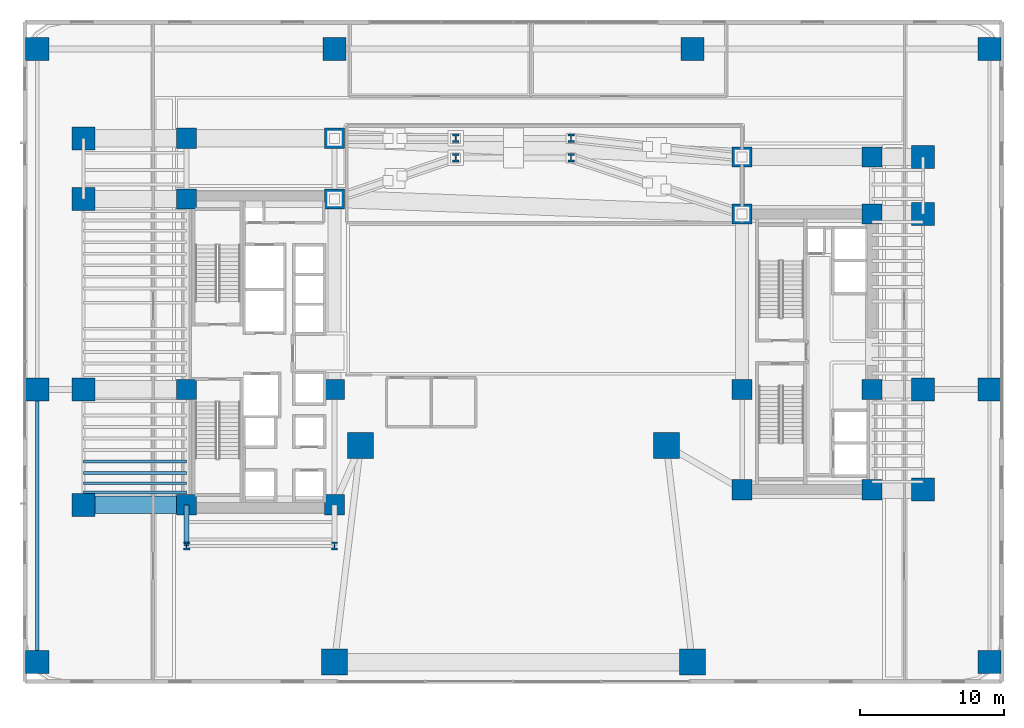
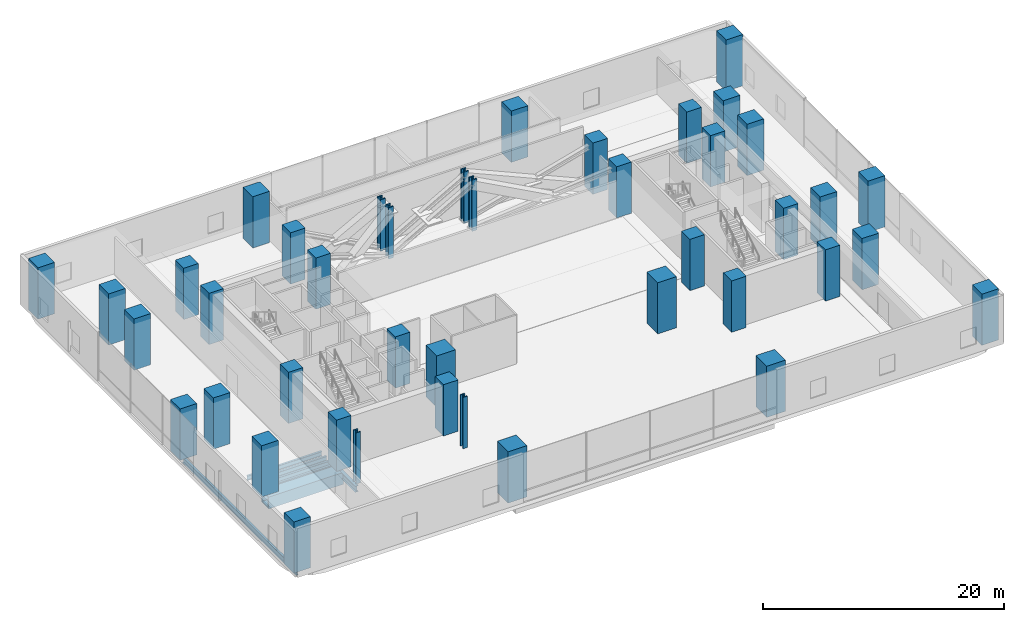
# One storey, part 1 of 41: 42 columns, 7 beams.
"""IFC4 building model written with IfcOpenShell, lengths in metres."""

import ifcopenshell
import ifcopenshell.guid

model = None  # the IFC model being written
_history = None  # IfcOwnerHistory: only IFC2X3 demands one
_inside = {}  # id of a spatial element -> (the spatial element, [elements in it])
_under = {}  # id of a project, library or spatial element -> (it, [spatial elements below it])
_declared = {}  # id of a project -> (the project, [libraries it declares])
_typed = {}  # id of a type object -> (the type object, [elements of that type])
_made_of = {}  # id of a material, layer set ... -> (it, [elements and type objects made of it])


def new_model(schema):
    """Start an empty IFC model of exactly this schema.

    Asked for "IFC4X3", IfcOpenShell would pick the latest addendum, in which some entities
    have other attributes; the version numbers below select the first issue.
    IFC2X3 requires an IfcOwnerHistory on every rooted entity: one is made here for all.
    """
    global model, _history
    if schema == "IFC4X3":
        model = ifcopenshell.file(schema_version=(4, 3, 0, 0))
    else:
        model = ifcopenshell.file(schema=schema)
    _inside.clear()
    _under.clear()
    _declared.clear()
    _typed.clear()
    _made_of.clear()
    _history = None
    if model.schema == "IFC2X3":
        org = make("IfcOrganization", Name="unknown")
        user = make(
            "IfcPersonAndOrganization",
            ThePerson=make("IfcPerson", FamilyName="unknown"),
            TheOrganization=org,
        )
        app = make(
            "IfcApplication",
            ApplicationDeveloper=org,
            Version="unknown",
            ApplicationFullName="unknown",
            ApplicationIdentifier="unknown",
        )
        _history = make(
            "IfcOwnerHistory",
            OwningUser=user,
            OwningApplication=app,
            ChangeAction="ADDED",
            CreationDate=0,
        )
    return model


def make(cls, **values):
    """One entity of the class cls with the attributes given. An attribute that is None is left unset."""
    return model.create_entity(
        cls, **{name: value for name, value in values.items() if value is not None}
    )


def rooted(cls, **values):
    """An entity with a GlobalId (a new one), such as an element, a storey or a relation."""
    return make(cls, GlobalId=ifcopenshell.guid.new(), OwnerHistory=_history, **values)


def si_unit(unit_type, name, prefix=None):
    """IfcSIUnit, for example si_unit("LENGTHUNIT", "METRE", prefix="MILLI")."""
    return make("IfcSIUnit", UnitType=unit_type, Prefix=prefix, Name=name)


def assignment(units):
    """IfcUnitAssignment: the units of a project."""
    return None if units is None else make("IfcUnitAssignment", Units=units)


def point(xyz):
    """IfcCartesianPoint."""
    return None if xyz is None else make("IfcCartesianPoint", Coordinates=xyz)


def direction(xyz):
    """IfcDirection."""
    return None if xyz is None else make("IfcDirection", DirectionRatios=xyz)


def frame(location, z_axis=None, x_axis=None):
    """IfcAxis2Placement3D, a coordinate frame: its origin and axes. An axis left out is left unset."""
    return make(
        "IfcAxis2Placement3D",
        Location=point(location),
        Axis=direction(z_axis),
        RefDirection=direction(x_axis),
    )


def frame_2d(location, x_axis=None):
    """IfcAxis2Placement2D, a coordinate frame in the plane: its origin and x axis."""
    return make(
        "IfcAxis2Placement2D", Location=point(location), RefDirection=direction(x_axis)
    )


def origin():
    """The frame at (0, 0, 0) with its axes left unset."""
    return frame((0.0, 0.0, 0.0))


def origin_2d():
    """The frame at (0, 0) in the plane with its x axis left unset."""
    return frame_2d((0.0, 0.0))


def place(relative_to, where):
    """IfcLocalPlacement: puts the frame where relative to a parent placement (None: the world)."""
    return make(
        "IfcLocalPlacement", PlacementRelTo=relative_to, RelativePlacement=where
    )


def context(
    kind, dimensions, precision=None, world=None, true_north=None, identifier=None
):
    """IfcGeometricRepresentationContext, for example the 3D "Model" context."""
    return make(
        "IfcGeometricRepresentationContext",
        ContextIdentifier=identifier,
        ContextType=kind,
        CoordinateSpaceDimension=dimensions,
        Precision=precision,
        WorldCoordinateSystem=world,
        TrueNorth=true_north,
    )


def subcontext(parent, identifier, kind, view, scale=None):
    """IfcGeometricRepresentationSubContext, for example "Body" below "Model"."""
    return make(
        "IfcGeometricRepresentationSubContext",
        ContextIdentifier=identifier,
        ContextType=kind,
        ParentContext=parent,
        TargetScale=scale,
        TargetView=view,
    )


def project(units=None, contexts=None):
    """IfcProject with its units and contexts."""
    return rooted(
        "IfcProject",
        Name="project",
        RepresentationContexts=contexts,
        UnitsInContext=assignment(units),
    )


def spatial(cls, under=None, at=None, **own):
    """A site, building, storey or space (cls), placed at a placement, below another one or the project."""
    s = rooted(cls, ObjectPlacement=at, **own)
    if under is not None:
        _under.setdefault(under.id(), (under, []))[1].append(s)
    return s


def profile(cls, at=None, kind="AREA", **sizes):
    """A parametric profile (cls). Its sizes go by their IFC names, for example OverallWidth=200.0."""
    return make(cls, ProfileType=kind, Position=at, **sizes)


def rectangle(**sizes):
    """IfcRectangleProfileDef."""
    return profile("IfcRectangleProfileDef", **sizes)


def hollow_rectangle(**sizes):
    """IfcRectangleHollowProfileDef."""
    return profile("IfcRectangleHollowProfileDef", **sizes)


def i_section(**sizes):
    """IfcIShapeProfileDef."""
    return profile("IfcIShapeProfileDef", **sizes)


def extrude(swept, where, along, depth):
    """IfcExtrudedAreaSolid: the profile swept, set in the frame where, extruded along a direction by depth."""
    return make(
        "IfcExtrudedAreaSolid",
        SweptArea=swept,
        Position=where,
        ExtrudedDirection=direction(along),
        Depth=depth,
    )


def shape(context_of_items, identifier, shape_type, items):
    """IfcShapeRepresentation: the items that make up one representation, for example the "Body"."""
    return make(
        "IfcShapeRepresentation",
        ContextOfItems=context_of_items,
        RepresentationIdentifier=identifier,
        RepresentationType=shape_type,
        Items=items,
    )


def source(mapping_origin, context_of_items, identifier, shape_type, items):
    """IfcRepresentationMap: a shape defined once, which mapped items show again and again."""
    return make(
        "IfcRepresentationMap",
        MappingOrigin=mapping_origin,
        MappedRepresentation=shape(context_of_items, identifier, shape_type, items),
    )


def transform(
    local_origin,
    x_axis=None,
    y_axis=None,
    z_axis=None,
    scale=None,
    scale2=None,
    scale3=None,
    uniform=True,
):
    """IfcCartesianTransformationOperator3D, or its non-uniform kind. x_axis, y_axis, z_axis: its Axis1, 2, 3."""
    if uniform:
        return make(
            "IfcCartesianTransformationOperator3D",
            Axis1=direction(x_axis),
            Axis2=direction(y_axis),
            LocalOrigin=point(local_origin),
            Scale=scale,
            Axis3=direction(z_axis),
        )
    return make(
        "IfcCartesianTransformationOperator3DnonUniform",
        Axis1=direction(x_axis),
        Axis2=direction(y_axis),
        LocalOrigin=point(local_origin),
        Scale=scale,
        Axis3=direction(z_axis),
        Scale2=scale2,
        Scale3=scale3,
    )


def mapped(mapping_source, mapping_target):
    """IfcMappedItem: shows the shape of a source again, moved by a transform."""
    return make(
        "IfcMappedItem", MappingSource=mapping_source, MappingTarget=mapping_target
    )


def material(Name=None, Category=None):
    """IfcMaterial."""
    return make("IfcMaterial", Name=Name, Category=Category)


def material_profile(
    of_material, cross_section, Name=None, Category=None, Priority=None
):
    """IfcMaterialProfile: a cross section and its material."""
    return make(
        "IfcMaterialProfile",
        Name=Name,
        Material=of_material,
        Profile=cross_section,
        Priority=Priority,
        Category=Category,
    )


def profile_set(profiles, Name=None, composite=None):
    """IfcMaterialProfileSet."""
    return make(
        "IfcMaterialProfileSet",
        Name=Name,
        MaterialProfiles=profiles,
        CompositeProfile=composite,
    )


def made_of(thing, what):
    """Note that an element or type object is made of a material, layer set ...; save() writes the relation."""
    if what is not None:
        _made_of.setdefault(what.id(), (what, []))[1].append(thing)
    return thing


def type_object(cls, material=None, **own):
    """A type object (cls), such as IfcWallType, which elements share."""
    return made_of(rooted(cls, **own), material)


def element(
    cls,
    number,
    at=None,
    inside=None,
    cuts=None,
    type_object=None,
    material=None,
    context=None,
    identifier="Body",
    shape_type=None,
    held_by="IfcProductDefinitionShape",
    body=None,
    shapes=None,
    **own,
):
    """One element of the class cls, such as IfcWall. Its Tag is "e" and its number.

    at: its placement. inside: the storey or other place that contains it. cuts: it is an
    opening in that element (IfcRelVoidsElement). A single representation is given by context,
    identifier, shape_type and body (its items); several are given by shapes. held_by: the class
    of the entity that holds the representations. save() writes the other relations.
    """
    e = rooted(cls, Tag="e%d" % number, ObjectPlacement=at, **own)
    if body is not None:
        shapes = [shape(context, identifier, shape_type, body)]
    if shapes is not None:
        e.Representation = make(held_by, Representations=shapes)
    if inside is not None:
        _inside.setdefault(inside.id(), (inside, []))[1].append(e)
    if cuts is not None:
        rooted(
            "IfcRelVoidsElement", RelatingBuildingElement=cuts, RelatedOpeningElement=e
        )
    if type_object is not None:
        _typed.setdefault(type_object.id(), (type_object, []))[1].append(e)
    return made_of(e, material)


def aggregate(whole, parts):
    """IfcRelAggregates: a whole, such as a stair, and the parts it consists of."""
    return rooted("IfcRelAggregates", RelatingObject=whole, RelatedObjects=parts)


def save(model, path):
    """Write the relations noted so far, then the file.

    IfcRelAggregates (storeys below a building ...), IfcRelContainedInSpatialStructure (elements
    in a storey), IfcRelDefinesByType, IfcRelAssociatesMaterial and IfcRelDeclares: one each for
    every whole, place, type object, material and project.
    """
    for whole, parts in _under.values():
        aggregate(whole, parts)
    for where, things in _inside.values():
        rooted(
            "IfcRelContainedInSpatialStructure",
            RelatedElements=things,
            RelatingStructure=where,
        )
    for kind, things in _typed.values():
        rooted("IfcRelDefinesByType", RelatedObjects=things, RelatingType=kind)
    for what, things in _made_of.values():
        rooted("IfcRelAssociatesMaterial", RelatedObjects=things, RelatingMaterial=what)
    for by, libraries in _declared.values():
        rooted("IfcRelDeclares", RelatingContext=by, RelatedDefinitions=libraries)
    model.write(path)


model = new_model("IFC4")

# Units and contexts
model_context = context("Model", 3, precision=1e-05, world=origin(), true_north=direction((0.0, 1.0)))
body_context = subcontext(model_context, "Body", "Model", "MODEL_VIEW")
ifc_project = project(units=[si_unit("LENGTHUNIT", "METRE"), si_unit("AREAUNIT", "SQUARE_METRE"), si_unit("VOLUMEUNIT", "CUBIC_METRE"), si_unit("PLANEANGLEUNIT", "RADIAN"), si_unit("MASSUNIT", "GRAM", prefix="KILO")], contexts=[model_context])

# Site, building, storey
site_placement = place(None, origin())
site = spatial("IfcSite", under=ifc_project, at=site_placement, CompositionType="ELEMENT")
building_placement = place(site_placement, origin())
building = spatial("IfcBuilding", under=site, at=building_placement, Name="Valdorenza Pilgrim Sanctuary Tower", CompositionType="ELEMENT")
storey_placement = place(building_placement, frame((0.0, 0.0, 20.800048828125)))
storey = spatial("IfcBuildingStorey", under=building, at=storey_placement, Name="L04", CompositionType="ELEMENT", Elevation=20.800048828125)

# Columns
ifc_material_1 = material(Name="Concrete C60/75", Category="concrete")
ifc_material_profile_1 = material_profile(ifc_material_1, rectangle(XDim=1.60009765625, YDim=1.60009765625, at=origin_2d()), Name="RC 1600x1600")
ifc_profile_set_1 = profile_set([ifc_material_profile_1], Name="Concrete C60/75")
column_type_1 = type_object("IfcColumnType", Name="COL-POD-1600", PredefinedType="COLUMN", material=ifc_profile_set_1)
shared_shape_1 = source(origin(), body_context, "Body", "SweptSolid", [
    extrude(rectangle(XDim=1.60009765625, YDim=1.60009765625, at=origin_2d()), origin(), (0.0, 0.0, 1.0), 5.199951171875),
])
for number, where, z_axis, x_axis, name in (
    (1, (-29.800048828125, -10.60009765625, 0.0), (0.0, 0.0, 1.0), (1.0, 0.0, 0.0), "L04 Perimeter Column WA-W-S1"),
    (2, (-29.800048828125, -2.60009765625, 0.0), (0.0, 0.0, 1.0), (1.0, 0.0, 0.0), "L04 Perimeter Column WA-W-M0"),
    (3, (-29.800048828125, 10.60009765625, 0.0), (0.0, 0.0, 1.0), (1.0, 0.0, 0.0), "L04 Perimeter Column WA-W-N1"),
    (4, (-29.800048828125, 14.800048828125, 0.0), (0.0, 0.0, 1.0), (1.0, 0.0, 0.0), "L04 Perimeter Column WA-W-N2"),
    (5, (28.39990234375, -9.550048828125, 0.0), (0.0, 0.0, 1.0), (1.0, 0.0, 0.0), "L04 Perimeter Column WB-E-S1"),
    (6, (28.39990234375, -2.60009765625, 0.0), (0.0, 0.0, 1.0), (1.0, 0.0, 0.0), "L04 Perimeter Column WB-E-M0"),
    (7, (28.39990234375, 9.550048828125, 0.0), (0.0, 0.0, 1.0), (1.0, 0.0, 0.0), "L04 Perimeter Column WB-E-N1"),
    (8, (28.39990234375, 13.5, 0.0), (0.0, 0.0, 1.0), (1.0, 0.0, 0.0), "L04 Perimeter Column WB-E-N2"),
    (9, (-33.0, -21.5, 0.0), (0.0, 0.0, 1.0), (1.0, 0.0, 0.0), "L04 Perimeter Column POD-SW"),
    (10, (-33.0, -2.60009765625, 0.0), (0.0, 0.0, 1.0), (1.0, 0.0, 0.0), "L04 Perimeter Column POD-MW"),
    (11, (-33.0, 21.0, 0.0), (0.0, 0.0, 1.0), (1.0, 0.0, 0.0), "L04 Perimeter Column POD-NW"),
    (12, (-12.39990234375, 21.0, 0.0), (0.0, 0.0, 1.0), (1.0, 0.0, 0.0), "L04 Perimeter Column POD-NCW"),
    (13, (12.39990234375, 21.0, 0.0), (0.0, 0.0, 1.0), (1.0, 0.0, 0.0), "L04 Perimeter Column POD-NCE"),
    (14, (33.0, 21.0, 0.0), (0.0, 0.0, 1.0), (1.0, 0.0, 0.0), "L04 Perimeter Column POD-NE"),
    (15, (33.0, -2.60009765625, 0.0), (0.0, 0.0, 1.0), (1.0, 0.0, 0.0), "L04 Perimeter Column POD-ME"),
    (16, (33.0, -21.5, 0.0), (0.0, 0.0, 1.0), (1.0, 0.0, 0.0), "L04 Perimeter Column POD-SE"),
):
    element("IfcColumn", number, at=place(storey_placement, frame(where, z_axis=z_axis, x_axis=x_axis)), inside=storey, type_object=column_type_1, Name=name, PredefinedType="COLUMN", context=body_context, shape_type="MappedRepresentation", body=[
        mapped(shared_shape_1, transform((0.0, 0.0, 0.0), x_axis=(1.0, 0.0, 0.0), y_axis=(0.0, 1.0, 0.0), z_axis=(0.0, 0.0, 1.0), scale=1.0)),
    ])
ifc_material_profile_2 = material_profile(ifc_material_1, rectangle(XDim=1.39990234375, YDim=1.39990234375, at=origin_2d()), Name="RC 1400x1400")
ifc_profile_set_2 = profile_set([ifc_material_profile_2], Name="Concrete C60/75")
column_type_2 = type_object("IfcColumnType", Name="COL-Z1-1400", PredefinedType="COLUMN", material=ifc_profile_set_2)
shared_shape_2 = source(origin(), body_context, "Body", "SweptSolid", [
    extrude(rectangle(XDim=1.39990234375, YDim=1.39990234375, at=origin_2d()), origin(), (0.0, 0.0, 1.0), 5.199951171875),
])
for number, where, z_axis, x_axis, name in (
    (17, (-22.64990234375, -10.60009765625, 0.0), (0.0, 0.0, 1.0), (1.0, 0.0, 0.0), "L04 Column CA-W-S1"),
    (18, (-12.39990234375, -10.60009765625, 0.0), (0.0, 0.0, 1.0), (1.0, 0.0, 0.0), "L04 Column CA-E-S1"),
    (19, (-22.64990234375, -2.60009765625, 0.0), (0.0, 0.0, 1.0), (1.0, 0.0, 0.0), "L04 Column CA-W-M0"),
    (20, (-12.39990234375, -2.60009765625, 0.0), (0.0, 0.0, 1.0), (1.0, 0.0, 0.0), "L04 Column CA-E-M0"),
    (21, (-22.64990234375, 10.60009765625, 0.0), (0.0, 0.0, 1.0), (1.0, 0.0, 0.0), "L04 Column CA-W-N1"),
    (22, (-12.39990234375, 10.60009765625, 0.0), (0.0, 0.0, 1.0), (1.0, 0.0, 0.0), "L04 Column CA-E-N1"),
    (23, (-22.64990234375, 14.800048828125, 0.0), (0.0, 0.0, 1.0), (1.0, 0.0, 0.0), "L04 Column CA-W-N2"),
    (24, (-12.39990234375, 14.800048828125, 0.0), (0.0, 0.0, 1.0), (1.0, 0.0, 0.0), "L04 Column CA-E-N2"),
    (25, (15.85009765625, -9.550048828125, 0.0), (0.0, 0.0, 1.0), (1.0, 0.0, 0.0), "L04 Column CB-W-S1"),
    (26, (24.85009765625, -9.550048828125, 0.0), (0.0, 0.0, 1.0), (1.0, 0.0, 0.0), "L04 Column CB-E-S1"),
    (27, (15.85009765625, -2.60009765625, 0.0), (0.0, 0.0, 1.0), (1.0, 0.0, 0.0), "L04 Column CB-W-M0"),
    (28, (24.85009765625, -2.60009765625, 0.0), (0.0, 0.0, 1.0), (1.0, 0.0, 0.0), "L04 Column CB-E-M0"),
    (29, (15.85009765625, 9.550048828125, 0.0), (0.0, 0.0, 1.0), (1.0, 0.0, 0.0), "L04 Column CB-W-N1"),
    (30, (24.85009765625, 9.550048828125, 0.0), (0.0, 0.0, 1.0), (1.0, 0.0, 0.0), "L04 Column CB-E-N1"),
    (31, (15.85009765625, 13.5, 0.0), (0.0, 0.0, 1.0), (1.0, 0.0, 0.0), "L04 Column CB-W-N2"),
    (32, (24.85009765625, 13.5, 0.0), (0.0, 0.0, 1.0), (1.0, 0.0, 0.0), "L04 Column CB-E-N2"),
):
    element("IfcColumn", number, at=place(storey_placement, frame(where, z_axis=z_axis, x_axis=x_axis)), inside=storey, type_object=column_type_2, Name=name, PredefinedType="COLUMN", context=body_context, shape_type="MappedRepresentation", body=[
        mapped(shared_shape_2, transform((0.0, 0.0, 0.0), x_axis=(1.0, 0.0, 0.0), y_axis=(0.0, 1.0, 0.0), z_axis=(0.0, 0.0, 1.0), scale=1.0)),
    ])
ifc_material_2 = material(Name="Steel ASTM A992 Grade 50", Category="steel")
ifc_material_profile_3 = material_profile(ifc_material_2, i_section(OverallWidth=0.44189453125, OverallDepth=0.531005859375, WebThickness=0.06591796875, FlangeThickness=0.105712890625, at=origin_2d()), Name="W14X605")
ifc_profile_set_3 = profile_set([ifc_material_profile_3], Name="Steel ASTM A992 Grade 50")
column_type_3 = type_object("IfcColumnType", Name="COL-STL-W605", PredefinedType="COLUMN", material=ifc_profile_set_3)
shared_shape_3 = source(origin(), body_context, "Body", "SweptSolid", [
    extrude(i_section(OverallWidth=0.44189453125, OverallDepth=0.531005859375, WebThickness=0.06591796875, FlangeThickness=0.105712890625, at=origin_2d()), origin(), (0.0, 0.0, 1.0), 5.199951171875),
])
for number, where, z_axis, x_axis, name in (
    (33, (-22.64990234375, -13.449951171875, 0.0), (0.0, 0.0, 1.0), (1.0, 0.0, 0.0), "L04 Column WA-S-W"),
    (34, (-12.39990234375, -13.449951171875, 0.0), (0.0, 0.0, 1.0), (1.0, 0.0, 0.0), "L04 Column WA-S-E"),
):
    element("IfcColumn", number, at=place(storey_placement, frame(where, z_axis=z_axis, x_axis=x_axis)), inside=storey, type_object=column_type_3, Name=name, PredefinedType="COLUMN", context=body_context, shape_type="MappedRepresentation", body=[
        mapped(shared_shape_3, transform((0.0, 0.0, 0.0), x_axis=(1.0, 0.0, 0.0), y_axis=(0.0, 1.0, 0.0), z_axis=(0.0, 0.0, 1.0), scale=1.0)),
    ])
ifc_material_profile_4 = material_profile(ifc_material_1, rectangle(XDim=1.800048828125, YDim=1.800048828125, at=origin_2d()), Name="RC 1800x1800")
ifc_profile_set_4 = profile_set([ifc_material_profile_4], Name="Concrete C60/75")
column_type_4 = type_object("IfcColumnType", Name="COL-ARCH-1800", PredefinedType="COLUMN", material=ifc_profile_set_4)
shared_shape_4 = source(origin(), body_context, "Body", "SweptSolid", [
    extrude(rectangle(XDim=1.800048828125, YDim=1.800048828125, at=origin_2d()), origin(), (0.0, 0.0, 1.0), 5.199951171875),
])
for number, where, z_axis, x_axis, name in (
    (35, (-12.39990234375, -21.5, 0.0), (0.0, 0.0, 1.0), (1.0, 0.0, 0.0), "L04 Perimeter Column ARCH-PIER-SW"),
    (36, (-10.60009765625, -6.5, 0.0), (0.0, 0.0, 1.0), (1.0, 0.0, 0.0), "L04 Perimeter Column ARCH-PIER-NW"),
    (37, (12.39990234375, -21.5, 0.0), (0.0, 0.0, 1.0), (1.0, 0.0, 0.0), "L04 Perimeter Column ARCH-PIER-SE"),
    (38, (10.60009765625, -6.5, 0.0), (0.0, 0.0, 1.0), (1.0, 0.0, 0.0), "L04 Perimeter Column ARCH-PIER-NE"),
):
    element("IfcColumn", number, at=place(storey_placement, frame(where, z_axis=z_axis, x_axis=x_axis)), inside=storey, type_object=column_type_4, Name=name, PredefinedType="COLUMN", context=body_context, shape_type="MappedRepresentation", body=[
        mapped(shared_shape_4, transform((0.0, 0.0, 0.0), x_axis=(1.0, 0.0, 0.0), y_axis=(0.0, 1.0, 0.0), z_axis=(0.0, 0.0, 1.0), scale=1.0)),
    ])
ifc_material_profile_5 = material_profile(ifc_material_2, i_section(OverallWidth=0.4541015625, OverallDepth=0.569091796875, WebThickness=0.077880859375, FlangeThickness=0.124755859375, at=origin_2d()), Name="W14X730")
ifc_profile_set_5 = profile_set([ifc_material_profile_5], Name="Steel ASTM A992 Grade 50")
column_type_5 = type_object("IfcColumnType", Name="COL-STL-W730", PredefinedType="COLUMN", material=ifc_profile_set_5)
shared_shape_5 = source(origin(), body_context, "Body", "SweptSolid", [
    extrude(i_section(OverallWidth=0.4541015625, OverallDepth=0.569091796875, WebThickness=0.077880859375, FlangeThickness=0.124755859375, at=origin_2d()), origin(), (0.0, 0.0, 1.0), 5.199951171875),
])
for number, where, z_axis, x_axis, name in (
    (39, (-4.0, 13.449951171875, 0.0), (0.0, 0.0, 1.0), (1.0, 0.0, 0.0), "L04 Column TRF04-W1"),
    (40, (-4.0, 14.800048828125, 0.0), (0.0, 0.0, 1.0), (1.0, 0.0, 0.0), "L04 Column TRF04-W2"),
    (41, (4.0, 13.449951171875, 0.0), (0.0, 0.0, 1.0), (1.0, 0.0, 0.0), "L04 Column TRF04-E1"),
    (42, (4.0, 14.800048828125, 0.0), (0.0, 0.0, 1.0), (1.0, 0.0, 0.0), "L04 Column TRF04-E2"),
):
    element("IfcColumn", number, at=place(storey_placement, frame(where, z_axis=z_axis, x_axis=x_axis)), inside=storey, type_object=column_type_5, Name=name, PredefinedType="COLUMN", context=body_context, shape_type="MappedRepresentation", body=[
        mapped(shared_shape_5, transform((0.0, 0.0, 0.0), x_axis=(1.0, 0.0, 0.0), y_axis=(0.0, 1.0, 0.0), z_axis=(0.0, 0.0, 1.0), scale=1.0)),
    ])

# Beams
ifc_material_profile_6 = material_profile(ifc_material_2, i_section(OverallWidth=0.323974609375, OverallDepth=0.611083984375, WebThickness=0.0126953125, FlangeThickness=0.01904296875, at=origin_2d()), Name="W24X104")
ifc_profile_set_6 = profile_set([ifc_material_profile_6], Name="Steel ASTM A992 Grade 50")
beam_type_1 = type_object("IfcBeamType", Name="STR-BM-GRD-W24B", PredefinedType="BEAM", material=ifc_profile_set_6)
shared_shape_6 = source(origin(), body_context, "Body", "SweptSolid", [
    extrude(i_section(OverallWidth=0.323974609375, OverallDepth=0.611083984375, WebThickness=0.0126953125, FlangeThickness=0.01904296875, at=origin_2d()), origin(), (0.0, 0.0, 1.0), 2.849853515625),
])
beam_1_placement = place(storey_placement, frame((-22.64990234375, -13.449951171875, -0.70556640625), z_axis=(0.0, 1.0, 0.0), x_axis=(-1.0, 0.0, 0.0)))
element("IfcBeam", 43, at=beam_1_placement, inside=storey, type_object=beam_type_1, Name="L04 Floor Girder WA-S-LW", PredefinedType="BEAM", context=body_context, shape_type="MappedRepresentation", body=[
    mapped(shared_shape_6, transform((0.0, 0.0, 0.0), x_axis=(1.0, 0.0, 0.0), y_axis=(0.0, 1.0, 0.0), z_axis=(0.0, 0.0, 1.0), scale=1.0)),
])
ifc_material_profile_7 = material_profile(ifc_material_2, i_section(OverallWidth=0.193115234375, OverallDepth=0.466064453125, WebThickness=0.011474609375, FlangeThickness=0.01904296875, at=origin_2d()), Name="W18X65")
ifc_profile_set_7 = profile_set([ifc_material_profile_7], Name="Steel ASTM A992 Grade 50")
beam_type_2 = type_object("IfcBeamType", Name="STR-BM-JST-W18A", PredefinedType="JOIST", material=ifc_profile_set_7)
shared_shape_7 = source(origin(), body_context, "Body", "SweptSolid", [
    extrude(i_section(OverallWidth=0.193115234375, OverallDepth=0.466064453125, WebThickness=0.011474609375, FlangeThickness=0.01904296875, at=origin_2d()), origin(), (0.0, 0.0, 1.0), 7.150146484375),
])
for number, where, z_axis, x_axis, name in (
    (44, (-29.800048828125, -9.75, -0.633056640625), (1.0, 0.0, 0.0), (0.0, 1.0, 0.0), "L04 Composite Floor Joist JST-WA-1"),
    (45, (-29.800048828125, -9.10009765625, -0.633056640625), (1.0, 0.0, 0.0), (0.0, 1.0, 0.0), "L04 Composite Floor Joist JST-WA-2"),
    (46, (-29.800048828125, -8.39990234375, -0.633056640625), (1.0, 0.0, 0.0), (0.0, 1.0, 0.0), "L04 Composite Floor Joist JST-WA-3"),
    (47, (-29.800048828125, -7.60009765625, -0.633056640625), (1.0, 0.0, 0.0), (0.0, 1.0, 0.0), "L04 Composite Floor Joist JST-WA-4"),
):
    element("IfcBeam", number, at=place(storey_placement, frame(where, z_axis=z_axis, x_axis=x_axis)), inside=storey, type_object=beam_type_2, Name=name, PredefinedType="JOIST", context=body_context, shape_type="MappedRepresentation", body=[
        mapped(shared_shape_7, transform((0.0, 0.0, 0.0), x_axis=(1.0, 0.0, 0.0), y_axis=(0.0, 1.0, 0.0), z_axis=(0.0, 0.0, 1.0), scale=1.0)),
    ])
ifc_material_profile_8 = material_profile(ifc_material_2, i_section(OverallWidth=0.214111328125, OverallDepth=0.549072265625, WebThickness=0.0146484375, FlangeThickness=0.023681640625, at=origin_2d()), Name="W21X93")
ifc_profile_set_8 = profile_set([ifc_material_profile_8], Name="Steel ASTM A992 Grade 50")
beam_type_3 = type_object("IfcBeamType", Name="STR-BM-SPN-W21A", PredefinedType="SPANDREL", material=ifc_profile_set_8)
shared_shape_8 = source(origin(), body_context, "Body", "SweptSolid", [
    extrude(i_section(OverallWidth=0.214111328125, OverallDepth=0.549072265625, WebThickness=0.0146484375, FlangeThickness=0.023681640625, at=origin_2d()), origin(), (0.0, 0.0, 1.0), 18.89990234375),
])
beam_2_placement = place(storey_placement, frame((-33.0, -21.5, -0.674560546875), z_axis=(0.0, 1.0, 0.0), x_axis=(-1.0, 0.0, 0.0)))
element("IfcBeam", 48, at=beam_2_placement, inside=storey, type_object=beam_type_3, Name="L04 Floor Girder POD-SPN-WS", PredefinedType="SPANDREL", context=body_context, shape_type="MappedRepresentation", body=[
    mapped(shared_shape_8, transform((0.0, 0.0, 0.0), x_axis=(1.0, 0.0, 0.0), y_axis=(0.0, 1.0, 0.0), z_axis=(0.0, 0.0, 1.0), scale=1.0)),
])
ifc_material_3 = material(Name="Steel ASTM A572 Grade 42", Category="steel")
ifc_material_profile_9 = material_profile(ifc_material_3, hollow_rectangle(XDim=1.199951171875, YDim=1.199951171875, WallThickness=0.090087890625, at=origin_2d()), Name="BOX 1200x1200x90")
ifc_profile_set_9 = profile_set([ifc_material_profile_9], Name="Steel ASTM A572 Grade 42")
beam_type_4 = type_object("IfcBeamType", Name="STR-BM-TRF-1200", PredefinedType="BEAM", material=ifc_profile_set_9)
shared_shape_9 = source(origin(), body_context, "Body", "SweptSolid", [
    extrude(hollow_rectangle(XDim=1.199951171875, YDim=1.199951171875, WallThickness=0.090087890625, at=origin_2d()), origin(), (0.0, 0.0, 1.0), 7.150146484375),
])
beam_3_placement = place(storey_placement, frame((-29.800048828125, -10.60009765625, -1.0), z_axis=(1.0, 0.0, 0.0), x_axis=(0.0, 1.0, 0.0)))
element("IfcBeam", 49, at=beam_3_placement, inside=storey, type_object=beam_type_4, Name="L04 Transfer Girder WA-XW-S1", PredefinedType="BEAM", context=body_context, shape_type="MappedRepresentation", body=[
    mapped(shared_shape_9, transform((0.0, 0.0, 0.0), x_axis=(1.0, 0.0, 0.0), y_axis=(0.0, 1.0, 0.0), z_axis=(0.0, 0.0, 1.0), scale=1.0)),
])

save(model, "model.ifc")
